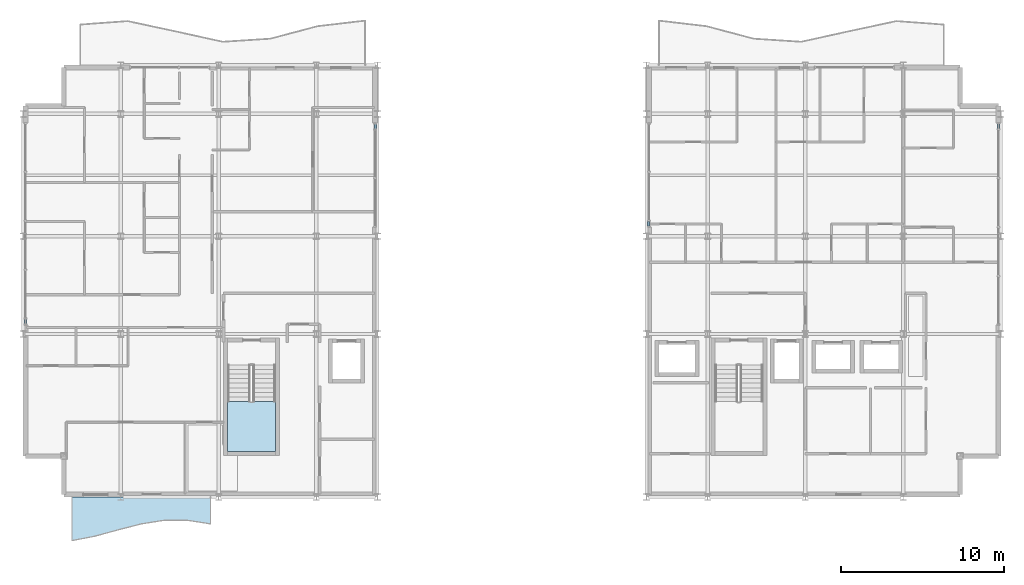
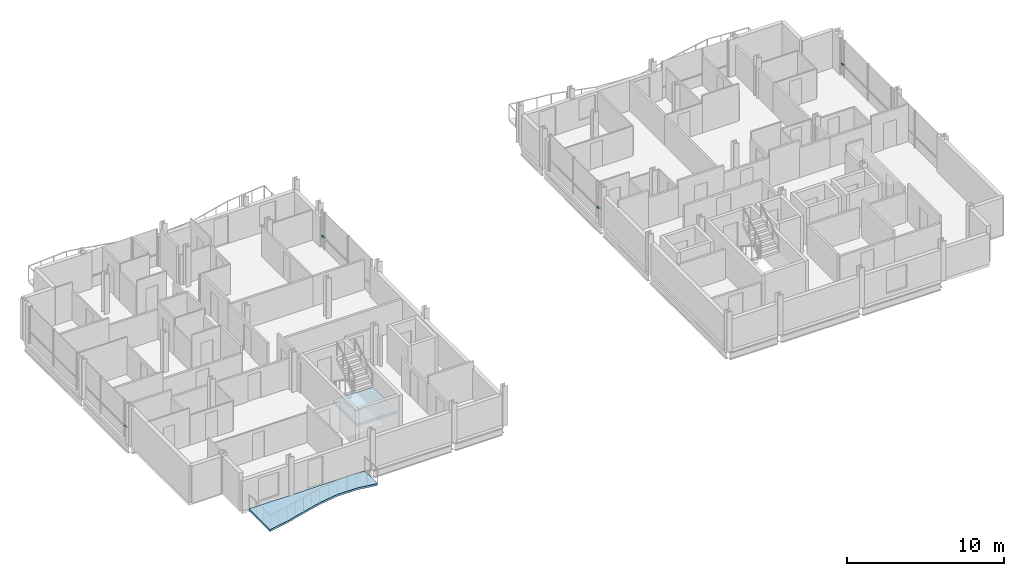
# One storey, part 16 of 29: 4 members, 2 slabs, 5 elements without a shape of their own.
"""IFC4 building model written with IfcOpenShell, lengths in metres."""

from ifc_helpers import new_model, si_unit, direction, frame, origin, origin_2d, place, context, subcontext, project, spatial, polyline, hollow_rectangle, outline, extrude, material, layer, layer_set, material_profile, profile_set, type_object, element, aggregate, save


model = new_model("IFC4")

# Units and contexts
model_context = context("Model", 3, precision=1e-05, world=origin(), true_north=direction((0.0, 1.0)))
body_context = subcontext(model_context, "Body", "Model", "MODEL_VIEW")
ifc_project = project(units=[si_unit("LENGTHUNIT", "METRE"), si_unit("AREAUNIT", "SQUARE_METRE"), si_unit("VOLUMEUNIT", "CUBIC_METRE"), si_unit("PLANEANGLEUNIT", "RADIAN"), si_unit("MASSUNIT", "GRAM", prefix="KILO")], contexts=[model_context])

# Site, building, storey
site_placement = place(None, origin())
site = spatial("IfcSite", under=ifc_project, at=site_placement, CompositionType="ELEMENT")
building_placement = place(site_placement, origin())
building = spatial("IfcBuilding", under=site, at=building_placement, Name="Brevholm Reach", CompositionType="ELEMENT")
storey_placement = place(building_placement, frame((0.0, 0.0, 201.800048828125)))
storey = spatial("IfcBuildingStorey", under=building, at=storey_placement, Name="L61", CompositionType="ELEMENT", Elevation=201.800048828125)

# Curtain wall, member
ifc_material_1 = material(Name="Dark Anodised Aluminium 6063-T6 and Solar-Control Glass", Category="aluminium")
ifc_layer_1 = layer(ifc_material_1, 0.14990234375)
ifc_layer_set_1 = layer_set([ifc_layer_1], Name="Dark Anodised Aluminium 6063-T6 and Solar-Control Glass")
curtain_wall_type_1 = type_object("IfcCurtainWallType", Name="CW-01", PredefinedType="NOTDEFINED", material=ifc_layer_set_1)
curtain_wall_1_placement = place(storey_placement, origin())
curtain_wall_1 = element("IfcCurtainWall", 1, at=curtain_wall_1_placement, inside=storey, type_object=curtain_wall_type_1, Name="L61 Curtain Wall CW-01", PredefinedType="NOTDEFINED")
ifc_material_2 = material(Name="Dark Anodised Aluminium 6063-T6", Category="aluminium")
ifc_material_profile_1 = material_profile(ifc_material_2, hollow_rectangle(XDim=0.06494140625, YDim=0.14990234375, WallThickness=0.0048828125, InnerFilletRadius=0.0048828125, OuterFilletRadius=0.010009765625, at=origin_2d()), Name="RHS 150x65x5")
ifc_profile_set_1 = profile_set([ifc_material_profile_1], Name="Dark Anodised Aluminium 6063-T6")
member_type_1 = type_object("IfcMemberType", Name="CWT-150", PredefinedType="NOTDEFINED", material=ifc_profile_set_1)
member_1_placement = place(storey_placement, frame((0.14990234375, 10.91748046875, 0.89990234375), z_axis=(0.0, -1.0, 0.0), x_axis=(0.0, 0.0, 1.0)))
member_1 = element("IfcMember", 2, at=member_1_placement, type_object=member_type_1, Name="CT-150 Transom 5.1", ObjectType="TRANSOM", PredefinedType="USERDEFINED", context=body_context, shape_type="SweptSolid", body=[
    extrude(hollow_rectangle(XDim=0.06494140625, YDim=0.14990234375, WallThickness=0.0048828125, InnerFilletRadius=0.0048828125, OuterFilletRadius=0.010009765625, at=origin_2d()), origin(), (0.0, 0.0, 1.0), 0.302490234375),
])
aggregate(curtain_wall_1, [member_1])

curtain_wall_2_placement = place(storey_placement, origin())
curtain_wall_2 = element("IfcCurtainWall", 3, at=curtain_wall_2_placement, inside=storey, type_object=curtain_wall_type_1, Name="L61 Curtain Wall CW-01", PredefinedType="NOTDEFINED")
member_2_placement = place(storey_placement, frame((59.85009765625, 22.58251953125, 0.89990234375), z_axis=(0.0, 1.0, 0.0), x_axis=(0.0, 0.0, 1.0)))
member_2 = element("IfcMember", 4, at=member_2_placement, type_object=member_type_1, Name="CT-150 Transom 5.1", ObjectType="TRANSOM", PredefinedType="USERDEFINED", context=body_context, shape_type="SweptSolid", body=[
    extrude(hollow_rectangle(XDim=0.06494140625, YDim=0.14990234375, WallThickness=0.0048828125, InnerFilletRadius=0.0048828125, OuterFilletRadius=0.010009765625, at=origin_2d()), origin(), (0.0, 0.0, 1.0), 0.302490234375),
])
aggregate(curtain_wall_2, [member_2])

ifc_material_3 = material(Name="Dark Anodised Aluminium 6063-T6 and Solar-Control Glass", Category="aluminium")
ifc_layer_2 = layer(ifc_material_3, 0.1650390625)
ifc_layer_set_2 = layer_set([ifc_layer_2], Name="Dark Anodised Aluminium 6063-T6 and Solar-Control Glass")
curtain_wall_type_2 = type_object("IfcCurtainWallType", Name="CW-04", PredefinedType="NOTDEFINED", material=ifc_layer_set_2)
curtain_wall_3_placement = place(storey_placement, origin())
curtain_wall_3 = element("IfcCurtainWall", 5, at=curtain_wall_3_placement, inside=storey, type_object=curtain_wall_type_2, Name="L61 Curtain Wall CW-04", PredefinedType="NOTDEFINED")
ifc_material_4 = material(Name="Dark Anodised Aluminium 6063-T6", Category="aluminium")
ifc_material_profile_2 = material_profile(ifc_material_4, hollow_rectangle(XDim=0.070068359375, YDim=0.1650390625, WallThickness=0.0048828125, InnerFilletRadius=0.0048828125, OuterFilletRadius=0.010009765625, at=origin_2d()), Name="RHS 165x70x5")
ifc_profile_set_2 = profile_set([ifc_material_profile_2], Name="Dark Anodised Aluminium 6063-T6")
member_type_2 = type_object("IfcMemberType", Name="CWT-165", PredefinedType="NOTDEFINED", material=ifc_profile_set_2)
member_3_placement = place(storey_placement, frame((21.60009765625, 22.5849609375, 0.89990234375), z_axis=(0.0, 1.0, 0.0), x_axis=(0.0, 0.0, 1.0)))
member_3 = element("IfcMember", 6, at=member_3_placement, type_object=member_type_2, Name="CT-165 Transom 3.1", ObjectType="TRANSOM", PredefinedType="USERDEFINED", context=body_context, shape_type="SweptSolid", body=[
    extrude(hollow_rectangle(XDim=0.070068359375, YDim=0.1650390625, WallThickness=0.0048828125, InnerFilletRadius=0.0048828125, OuterFilletRadius=0.010009765625, at=origin_2d()), origin(), (0.0, 0.0, 1.0), 0.294921875),
])
aggregate(curtain_wall_3, [member_3])

curtain_wall_4_placement = place(storey_placement, origin())
curtain_wall_4 = element("IfcCurtainWall", 7, at=curtain_wall_4_placement, inside=storey, type_object=curtain_wall_type_2, Name="L61 Curtain Wall CW-04", PredefinedType="NOTDEFINED")
member_4_placement = place(storey_placement, frame((38.39990234375, 16.9150390625, 0.89990234375), z_axis=(0.0, -1.0, 0.0), x_axis=(0.0, 0.0, 1.0)))
member_4 = element("IfcMember", 8, at=member_4_placement, type_object=member_type_2, Name="CT-165 Transom 3.1", ObjectType="TRANSOM", PredefinedType="USERDEFINED", context=body_context, shape_type="SweptSolid", body=[
    extrude(hollow_rectangle(XDim=0.070068359375, YDim=0.1650390625, WallThickness=0.0048828125, InnerFilletRadius=0.0048828125, OuterFilletRadius=0.010009765625, at=origin_2d()), origin(), (0.0, 0.0, 1.0), 0.294921875),
])
aggregate(curtain_wall_4, [member_4])

# Slab
ifc_material_5 = material(Name="Precast Concrete C45/55", Category="concrete")
ifc_layer_3 = layer(ifc_material_5, 0.14990234375)
ifc_layer_set_3 = layer_set([ifc_layer_3], Name="Precast Concrete C45/55")
slab_type_1 = type_object("IfcSlabType", Name="SLB-BAL-150", PredefinedType="FLOOR", material=ifc_layer_set_3)
slab_1_placement = place(storey_placement, frame((0.0, 0.0, -0.150146484375)))
element("IfcSlab", 9, at=slab_1_placement, inside=storey, type_object=slab_type_1, Name="L61 Rippling External Balcony SW", PredefinedType="FLOOR", context=body_context, shape_type="SweptSolid", body=[
    extrude(outline(polyline([(3.0, -2.676513671875), (4.416748046875, -2.402099609375), (5.833251953125, -2.01611328125), (7.25, -1.650146484375), (8.666748046875, -1.429443359375), (10.083251953125, -1.429443359375), (11.5, -1.650146484375), (11.5, 0.0), (3.0, 0.0), (3.0, -2.676513671875)])), origin(), (0.0, 0.0, 1.0), 0.150146484375),
])

# Stair, slab
ifc_material_6 = material(Name="Precast Concrete C40/50", Category="concrete")
stair_type = type_object("IfcStairType", Name="STR-ESC-1400", PredefinedType="DOUBLE_RETURN_STAIR", material=ifc_material_6)
stair_placement = place(storey_placement, origin())
stair = element("IfcStair", 10, at=stair_placement, inside=storey, type_object=stair_type, Name="L61 ST-1", PredefinedType="DOUBLE_RETURN_STAIR")
ifc_material_7 = material(Name="Concrete C40/50", Category="concrete")
ifc_layer_4 = layer(ifc_material_7, 0.199951171875)
ifc_layer_set_4 = layer_set([ifc_layer_4], Name="Concrete C40/50")
slab_type_2 = type_object("IfcSlabType", Name="SLB-LND-200", PredefinedType="LANDING", material=ifc_layer_set_4)
slab_2_placement = place(storey_placement, frame((0.0, 0.0, 1.349853515625)))
slab_2 = element("IfcSlab", 11, at=slab_2_placement, type_object=slab_type_2, Name="ST-1 landing 1", PredefinedType="LANDING", context=body_context, shape_type="SweptSolid", body=[
    extrude(outline(polyline([(12.550048828125, 5.860107421875), (12.550048828125, 2.780029296875), (15.5, 2.780029296875), (15.5, 5.860107421875), (12.550048828125, 5.860107421875)])), origin(), (0.0, 0.0, 1.0), 0.2001953125),
])
aggregate(stair, [slab_2])

save(model, "model.ifc")
